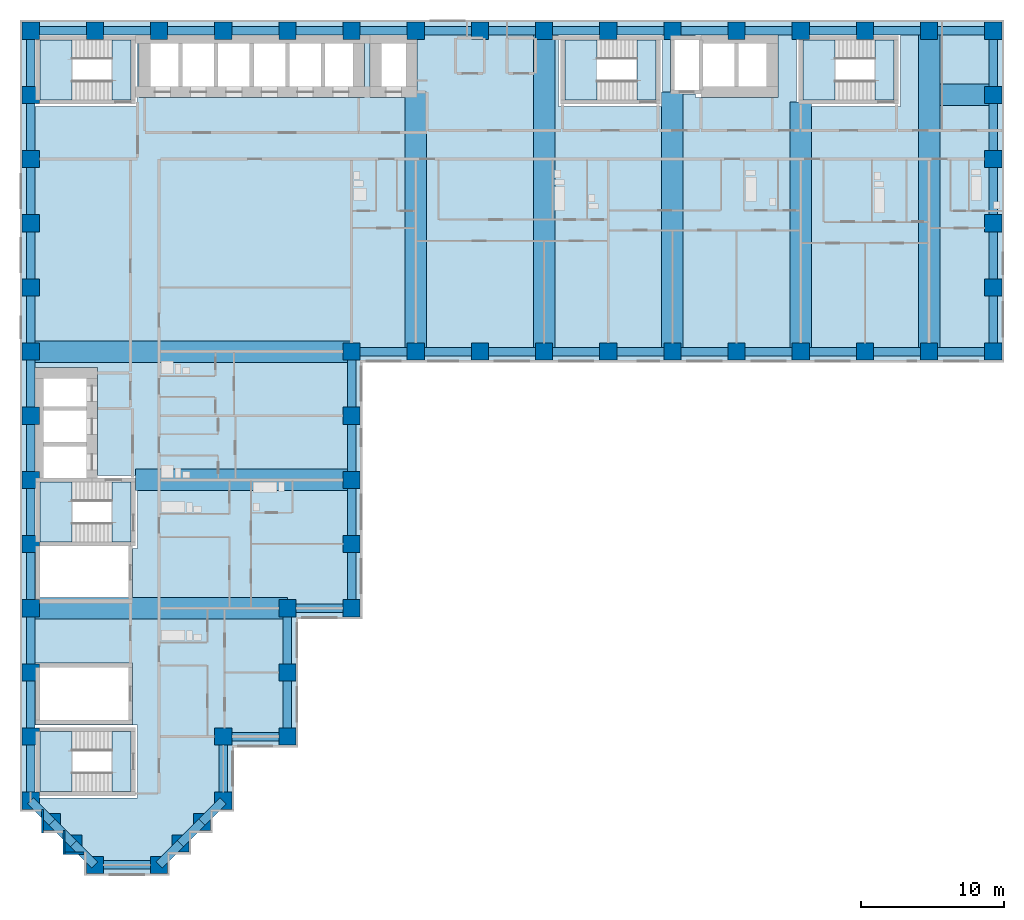
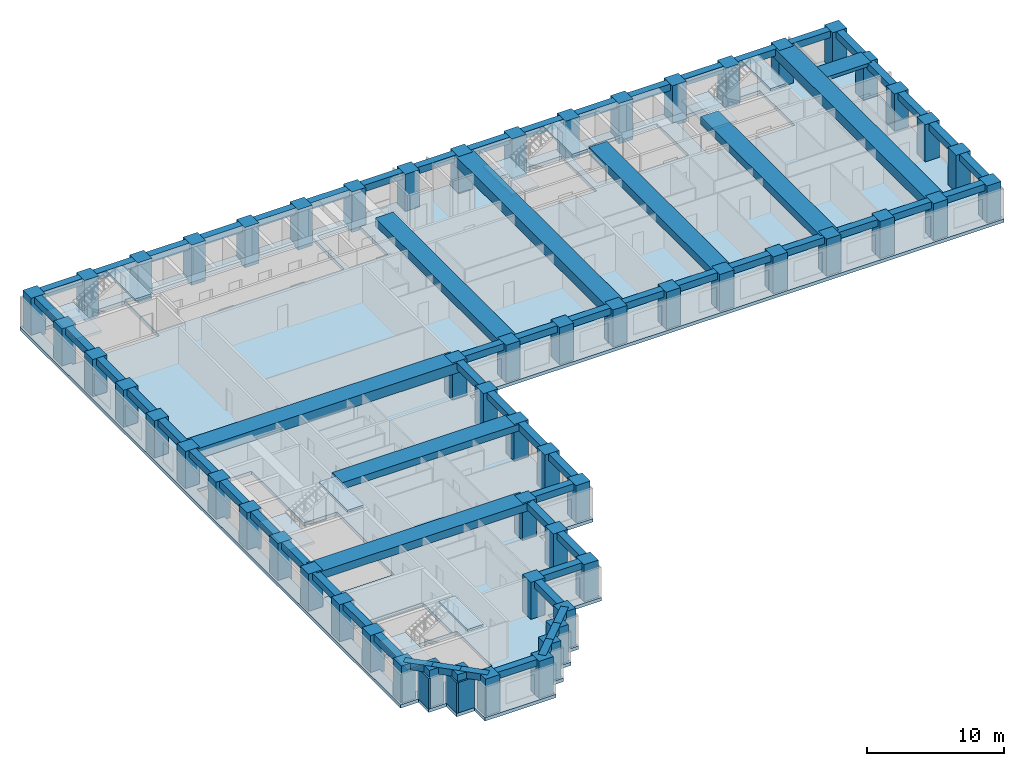
# One storey, part 1 of 11: 67 beams, 58 columns, 11 slabs, 3 walls, 5 elements without a shape of their own.
"""IFC4 building model written with IfcOpenShell, lengths in metres."""

import ifcopenshell
import ifcopenshell.guid

model = None  # the IFC model being written
_history = None  # IfcOwnerHistory: only IFC2X3 demands one
_inside = {}  # id of a spatial element -> (the spatial element, [elements in it])
_under = {}  # id of a project, library or spatial element -> (it, [spatial elements below it])
_declared = {}  # id of a project -> (the project, [libraries it declares])
_typed = {}  # id of a type object -> (the type object, [elements of that type])
_made_of = {}  # id of a material, layer set ... -> (it, [elements and type objects made of it])


def new_model(schema):
    """Start an empty IFC model of exactly this schema.

    Asked for "IFC4X3", IfcOpenShell would pick the latest addendum, in which some entities
    have other attributes; the version numbers below select the first issue.
    IFC2X3 requires an IfcOwnerHistory on every rooted entity: one is made here for all.
    """
    global model, _history
    if schema == "IFC4X3":
        model = ifcopenshell.file(schema_version=(4, 3, 0, 0))
    else:
        model = ifcopenshell.file(schema=schema)
    _inside.clear()
    _under.clear()
    _declared.clear()
    _typed.clear()
    _made_of.clear()
    _history = None
    if model.schema == "IFC2X3":
        org = make("IfcOrganization", Name="unknown")
        user = make(
            "IfcPersonAndOrganization",
            ThePerson=make("IfcPerson", FamilyName="unknown"),
            TheOrganization=org,
        )
        app = make(
            "IfcApplication",
            ApplicationDeveloper=org,
            Version="unknown",
            ApplicationFullName="unknown",
            ApplicationIdentifier="unknown",
        )
        _history = make(
            "IfcOwnerHistory",
            OwningUser=user,
            OwningApplication=app,
            ChangeAction="ADDED",
            CreationDate=0,
        )
    return model


def make(cls, **values):
    """One entity of the class cls with the attributes given. An attribute that is None is left unset."""
    return model.create_entity(
        cls, **{name: value for name, value in values.items() if value is not None}
    )


def rooted(cls, **values):
    """An entity with a GlobalId (a new one), such as an element, a storey or a relation."""
    return make(cls, GlobalId=ifcopenshell.guid.new(), OwnerHistory=_history, **values)


def si_unit(unit_type, name, prefix=None):
    """IfcSIUnit, for example si_unit("LENGTHUNIT", "METRE", prefix="MILLI")."""
    return make("IfcSIUnit", UnitType=unit_type, Prefix=prefix, Name=name)


def assignment(units):
    """IfcUnitAssignment: the units of a project."""
    return None if units is None else make("IfcUnitAssignment", Units=units)


def point(xyz):
    """IfcCartesianPoint."""
    return None if xyz is None else make("IfcCartesianPoint", Coordinates=xyz)


def direction(xyz):
    """IfcDirection."""
    return None if xyz is None else make("IfcDirection", DirectionRatios=xyz)


def frame(location, z_axis=None, x_axis=None):
    """IfcAxis2Placement3D, a coordinate frame: its origin and axes. An axis left out is left unset."""
    return make(
        "IfcAxis2Placement3D",
        Location=point(location),
        Axis=direction(z_axis),
        RefDirection=direction(x_axis),
    )


def frame_2d(location, x_axis=None):
    """IfcAxis2Placement2D, a coordinate frame in the plane: its origin and x axis."""
    return make(
        "IfcAxis2Placement2D", Location=point(location), RefDirection=direction(x_axis)
    )


def origin():
    """The frame at (0, 0, 0) with its axes left unset."""
    return frame((0.0, 0.0, 0.0))


def origin_2d():
    """The frame at (0, 0) in the plane with its x axis left unset."""
    return frame_2d((0.0, 0.0))


def place(relative_to, where):
    """IfcLocalPlacement: puts the frame where relative to a parent placement (None: the world)."""
    return make(
        "IfcLocalPlacement", PlacementRelTo=relative_to, RelativePlacement=where
    )


def context(
    kind, dimensions, precision=None, world=None, true_north=None, identifier=None
):
    """IfcGeometricRepresentationContext, for example the 3D "Model" context."""
    return make(
        "IfcGeometricRepresentationContext",
        ContextIdentifier=identifier,
        ContextType=kind,
        CoordinateSpaceDimension=dimensions,
        Precision=precision,
        WorldCoordinateSystem=world,
        TrueNorth=true_north,
    )


def subcontext(parent, identifier, kind, view, scale=None):
    """IfcGeometricRepresentationSubContext, for example "Body" below "Model"."""
    return make(
        "IfcGeometricRepresentationSubContext",
        ContextIdentifier=identifier,
        ContextType=kind,
        ParentContext=parent,
        TargetScale=scale,
        TargetView=view,
    )


def project(units=None, contexts=None):
    """IfcProject with its units and contexts."""
    return rooted(
        "IfcProject",
        Name="project",
        RepresentationContexts=contexts,
        UnitsInContext=assignment(units),
    )


def spatial(cls, under=None, at=None, **own):
    """A site, building, storey or space (cls), placed at a placement, below another one or the project."""
    s = rooted(cls, ObjectPlacement=at, **own)
    if under is not None:
        _under.setdefault(under.id(), (under, []))[1].append(s)
    return s


def polyline(points):
    """IfcPolyline through the points."""
    return make("IfcPolyline", Points=[point(p) for p in points])


def profile(cls, at=None, kind="AREA", **sizes):
    """A parametric profile (cls). Its sizes go by their IFC names, for example OverallWidth=200.0."""
    return make(cls, ProfileType=kind, Position=at, **sizes)


def rectangle(**sizes):
    """IfcRectangleProfileDef."""
    return profile("IfcRectangleProfileDef", **sizes)


def outline(outer, holes=None, kind="AREA"):
    """IfcArbitraryClosedProfileDef: a profile drawn as a closed curve; with holes, ...WithVoids."""
    if holes is None:
        return make("IfcArbitraryClosedProfileDef", ProfileType=kind, OuterCurve=outer)
    return make(
        "IfcArbitraryProfileDefWithVoids",
        ProfileType=kind,
        OuterCurve=outer,
        InnerCurves=holes,
    )


def extrude(swept, where, along, depth):
    """IfcExtrudedAreaSolid: the profile swept, set in the frame where, extruded along a direction by depth."""
    return make(
        "IfcExtrudedAreaSolid",
        SweptArea=swept,
        Position=where,
        ExtrudedDirection=direction(along),
        Depth=depth,
    )


def shape(context_of_items, identifier, shape_type, items):
    """IfcShapeRepresentation: the items that make up one representation, for example the "Body"."""
    return make(
        "IfcShapeRepresentation",
        ContextOfItems=context_of_items,
        RepresentationIdentifier=identifier,
        RepresentationType=shape_type,
        Items=items,
    )


def material(Name=None, Category=None):
    """IfcMaterial."""
    return make("IfcMaterial", Name=Name, Category=Category)


def layer(
    of_material, thickness, ventilated=None, Name=None, Category=None, Priority=None
):
    """IfcMaterialLayer: one layer of a wall or slab, of a material (None: an air gap)."""
    return make(
        "IfcMaterialLayer",
        Material=of_material,
        LayerThickness=thickness,
        IsVentilated=ventilated,
        Name=Name,
        Category=Category,
        Priority=Priority,
    )


def layer_set(layers, Name=None):
    """IfcMaterialLayerSet."""
    return make("IfcMaterialLayerSet", MaterialLayers=layers, LayerSetName=Name)


def material_profile(
    of_material, cross_section, Name=None, Category=None, Priority=None
):
    """IfcMaterialProfile: a cross section and its material."""
    return make(
        "IfcMaterialProfile",
        Name=Name,
        Material=of_material,
        Profile=cross_section,
        Priority=Priority,
        Category=Category,
    )


def profile_set(profiles, Name=None, composite=None):
    """IfcMaterialProfileSet."""
    return make(
        "IfcMaterialProfileSet",
        Name=Name,
        MaterialProfiles=profiles,
        CompositeProfile=composite,
    )


def made_of(thing, what):
    """Note that an element or type object is made of a material, layer set ...; save() writes the relation."""
    if what is not None:
        _made_of.setdefault(what.id(), (what, []))[1].append(thing)
    return thing


def type_object(cls, material=None, **own):
    """A type object (cls), such as IfcWallType, which elements share."""
    return made_of(rooted(cls, **own), material)


def element(
    cls,
    number,
    at=None,
    inside=None,
    cuts=None,
    type_object=None,
    material=None,
    context=None,
    identifier="Body",
    shape_type=None,
    held_by="IfcProductDefinitionShape",
    body=None,
    shapes=None,
    **own,
):
    """One element of the class cls, such as IfcWall. Its Tag is "e" and its number.

    at: its placement. inside: the storey or other place that contains it. cuts: it is an
    opening in that element (IfcRelVoidsElement). A single representation is given by context,
    identifier, shape_type and body (its items); several are given by shapes. held_by: the class
    of the entity that holds the representations. save() writes the other relations.
    """
    e = rooted(cls, Tag="e%d" % number, ObjectPlacement=at, **own)
    if body is not None:
        shapes = [shape(context, identifier, shape_type, body)]
    if shapes is not None:
        e.Representation = make(held_by, Representations=shapes)
    if inside is not None:
        _inside.setdefault(inside.id(), (inside, []))[1].append(e)
    if cuts is not None:
        rooted(
            "IfcRelVoidsElement", RelatingBuildingElement=cuts, RelatedOpeningElement=e
        )
    if type_object is not None:
        _typed.setdefault(type_object.id(), (type_object, []))[1].append(e)
    return made_of(e, material)


def aggregate(whole, parts):
    """IfcRelAggregates: a whole, such as a stair, and the parts it consists of."""
    return rooted("IfcRelAggregates", RelatingObject=whole, RelatedObjects=parts)


def save(model, path):
    """Write the relations noted so far, then the file.

    IfcRelAggregates (storeys below a building ...), IfcRelContainedInSpatialStructure (elements
    in a storey), IfcRelDefinesByType, IfcRelAssociatesMaterial and IfcRelDeclares: one each for
    every whole, place, type object, material and project.
    """
    for whole, parts in _under.values():
        aggregate(whole, parts)
    for where, things in _inside.values():
        rooted(
            "IfcRelContainedInSpatialStructure",
            RelatedElements=things,
            RelatingStructure=where,
        )
    for kind, things in _typed.values():
        rooted("IfcRelDefinesByType", RelatedObjects=things, RelatingType=kind)
    for what, things in _made_of.values():
        rooted("IfcRelAssociatesMaterial", RelatedObjects=things, RelatingMaterial=what)
    for by, libraries in _declared.values():
        rooted("IfcRelDeclares", RelatingContext=by, RelatedDefinitions=libraries)
    model.write(path)


model = new_model("IFC4")

# Units and contexts
model_context = context("Model", 3, precision=1e-05, world=origin(), true_north=direction((0.0, 1.0)))
body_context = subcontext(model_context, "Body", "Model", "MODEL_VIEW")
ifc_project = project(units=[si_unit("LENGTHUNIT", "METRE"), si_unit("AREAUNIT", "SQUARE_METRE"), si_unit("VOLUMEUNIT", "CUBIC_METRE"), si_unit("PLANEANGLEUNIT", "RADIAN"), si_unit("MASSUNIT", "GRAM", prefix="KILO")], contexts=[model_context])

# Site, building, storey
site_placement = place(None, origin())
site = spatial("IfcSite", under=ifc_project, at=site_placement, CompositionType="ELEMENT")
building_placement = place(site_placement, origin())
building = spatial("IfcBuilding", under=site, at=building_placement, Name="Firuza Court", CompositionType="ELEMENT")
storey_placement = place(building_placement, frame((0.0, 0.0, 61.39990234375)))
storey = spatial("IfcBuildingStorey", under=building, at=storey_placement, Name="L14", CompositionType="ELEMENT", Elevation=61.39990234375)

# Columns
ifc_material_1 = material(Name="Concrete C70/85", Category="concrete")
ifc_material_profile_1 = material_profile(ifc_material_1, rectangle(XDim=1.199951171875, YDim=1.199951171875, at=origin_2d()), Name="RC 1200x1200")
ifc_profile_set_1 = profile_set([ifc_material_profile_1], Name="Concrete C70/85")
column_type = type_object("IfcColumnType", Name="Tube column RC 1200x1200 C70/85", PredefinedType="COLUMN", material=ifc_profile_set_1)
for number, where, z_axis, x_axis, name in (
    (1, (4.5, 0.0, -0.2998046875), (0.0, 0.0, 1.0), (1.0, 0.0, 0.0), "Column C-2D L14"),
    (2, (9.0, 0.0, -0.2998046875), (0.0, 0.0, 1.0), (1.0, 0.0, 0.0), "Column C-3D L14"),
    (3, (3.0, 1.5, -0.2998046875), (0.0, 0.0, 1.0), (1.0, 0.0, 0.0), "Column C-SA1 L14"),
    (4, (10.5, 1.5, -0.2998046875), (0.0, 0.0, 1.0), (1.0, 0.0, 0.0), "Column C-SA2 L14"),
    (5, (1.5, 3.0, -0.2998046875), (0.0, 0.0, 1.0), (1.0, 0.0, 0.0), "Column C-SA3 L14"),
    (6, (12.0, 3.0, -0.2998046875), (0.0, 0.0, 1.0), (1.0, 0.0, 0.0), "Column C-SA4 L14"),
    (7, (0.0, 4.5, -0.2998046875), (0.0, 0.0, 1.0), (1.0, 0.0, 0.0), "Column C-1E L14"),
    (8, (13.5, 4.5, -0.2998046875), (0.0, 0.0, 1.0), (1.0, 0.0, 0.0), "Column C-4E L14"),
    (9, (0.0, 9.0, -0.2998046875), (0.0, 0.0, 1.0), (1.0, 0.0, 0.0), "Column C-1F L14"),
    (10, (13.5, 9.0, -0.2998046875), (0.0, 0.0, 1.0), (1.0, 0.0, 0.0), "Column C-4F L14"),
    (11, (18.0, 9.0, -0.2998046875), (0.0, 0.0, 1.0), (1.0, 0.0, 0.0), "Column C-5F L14"),
    (12, (0.0, 13.5, -0.2998046875), (0.0, 0.0, 1.0), (1.0, 0.0, 0.0), "Column C-1G L14"),
    (13, (18.0, 13.5, -0.2998046875), (0.0, 0.0, 1.0), (1.0, 0.0, 0.0), "Column C-5G L14"),
    (14, (0.0, 18.0, -0.2998046875), (0.0, 0.0, 1.0), (1.0, 0.0, 0.0), "Column C-1H L14"),
    (15, (18.0, 18.0, -0.2998046875), (0.0, 0.0, 1.0), (1.0, 0.0, 0.0), "Column C-5H L14"),
    (16, (22.5, 18.0, -0.2998046875), (0.0, 0.0, 1.0), (1.0, 0.0, 0.0), "Column C-6H L14"),
    (17, (0.0, 22.5, -0.2998046875), (0.0, 0.0, 1.0), (1.0, 0.0, 0.0), "Column C-1J L14"),
    (18, (22.5, 22.5, -0.2998046875), (0.0, 0.0, 1.0), (1.0, 0.0, 0.0), "Column C-6J L14"),
    (19, (0.0, 27.0, -0.2998046875), (0.0, 0.0, 1.0), (1.0, 0.0, 0.0), "Column C-1K L14"),
    (20, (22.5, 27.0, -0.2998046875), (0.0, 0.0, 1.0), (1.0, 0.0, 0.0), "Column C-6K L14"),
    (21, (0.0, 31.5, -0.2998046875), (0.0, 0.0, 1.0), (1.0, 0.0, 0.0), "Column C-1L L14"),
    (22, (22.5, 31.5, -0.2998046875), (0.0, 0.0, 1.0), (1.0, 0.0, 0.0), "Column C-6L L14"),
    (23, (0.0, 36.0, -0.2998046875), (0.0, 0.0, 1.0), (1.0, 0.0, 0.0), "Column C-1M L14"),
    (24, (22.5, 36.0, -0.2998046875), (0.0, 0.0, 1.0), (1.0, 0.0, 0.0), "Column C-6M L14"),
    (25, (27.0, 36.0, -0.2998046875), (0.0, 0.0, 1.0), (1.0, 0.0, 0.0), "Column C-7M L14"),
    (26, (31.5, 36.0, -0.2998046875), (0.0, 0.0, 1.0), (1.0, 0.0, 0.0), "Column C-8M L14"),
    (27, (36.0, 36.0, -0.2998046875), (0.0, 0.0, 1.0), (1.0, 0.0, 0.0), "Column C-9M L14"),
    (28, (40.5, 36.0, -0.2998046875), (0.0, 0.0, 1.0), (1.0, 0.0, 0.0), "Column C-10M L14"),
    (29, (45.0, 36.0, -0.2998046875), (0.0, 0.0, 1.0), (1.0, 0.0, 0.0), "Column C-11M L14"),
    (30, (49.5, 36.0, -0.2998046875), (0.0, 0.0, 1.0), (1.0, 0.0, 0.0), "Column C-12M L14"),
    (31, (54.0, 36.0, -0.2998046875), (0.0, 0.0, 1.0), (1.0, 0.0, 0.0), "Column C-13M L14"),
    (32, (58.5, 36.0, -0.2998046875), (0.0, 0.0, 1.0), (1.0, 0.0, 0.0), "Column C-14M L14"),
    (33, (63.0, 36.0, -0.2998046875), (0.0, 0.0, 1.0), (1.0, 0.0, 0.0), "Column C-15M L14"),
    (34, (67.5, 36.0, -0.2998046875), (0.0, 0.0, 1.0), (1.0, 0.0, 0.0), "Column C-16M L14"),
    (35, (0.0, 40.5, -0.2998046875), (0.0, 0.0, 1.0), (1.0, 0.0, 0.0), "Column C-1N L14"),
    (36, (67.5, 40.5, -0.2998046875), (0.0, 0.0, 1.0), (1.0, 0.0, 0.0), "Column C-16N L14"),
    (37, (0.0, 45.0, -0.2998046875), (0.0, 0.0, 1.0), (1.0, 0.0, 0.0), "Column C-1P L14"),
    (38, (67.5, 45.0, -0.2998046875), (0.0, 0.0, 1.0), (1.0, 0.0, 0.0), "Column C-16P L14"),
    (39, (0.0, 49.5, -0.2998046875), (0.0, 0.0, 1.0), (1.0, 0.0, 0.0), "Column C-1Q L14"),
    (40, (67.5, 49.5, -0.2998046875), (0.0, 0.0, 1.0), (1.0, 0.0, 0.0), "Column C-16Q L14"),
    (41, (0.0, 54.0, -0.2998046875), (0.0, 0.0, 1.0), (1.0, 0.0, 0.0), "Column C-1R L14"),
    (42, (67.5, 54.0, -0.2998046875), (0.0, 0.0, 1.0), (1.0, 0.0, 0.0), "Column C-16R L14"),
    (43, (0.0, 58.5, -0.2998046875), (0.0, 0.0, 1.0), (1.0, 0.0, 0.0), "Column C-1S L14"),
    (44, (4.5, 58.5, -0.2998046875), (0.0, 0.0, 1.0), (1.0, 0.0, 0.0), "Column C-2S L14"),
    (45, (9.0, 58.5, -0.2998046875), (0.0, 0.0, 1.0), (1.0, 0.0, 0.0), "Column C-3S L14"),
    (46, (13.5, 58.5, -0.2998046875), (0.0, 0.0, 1.0), (1.0, 0.0, 0.0), "Column C-4S L14"),
    (47, (18.0, 58.5, -0.2998046875), (0.0, 0.0, 1.0), (1.0, 0.0, 0.0), "Column C-5S L14"),
    (48, (22.5, 58.5, -0.2998046875), (0.0, 0.0, 1.0), (1.0, 0.0, 0.0), "Column C-6S L14"),
    (49, (27.0, 58.5, -0.2998046875), (0.0, 0.0, 1.0), (1.0, 0.0, 0.0), "Column C-7S L14"),
    (50, (31.5, 58.5, -0.2998046875), (0.0, 0.0, 1.0), (1.0, 0.0, 0.0), "Column C-8S L14"),
    (51, (36.0, 58.5, -0.2998046875), (0.0, 0.0, 1.0), (1.0, 0.0, 0.0), "Column C-9S L14"),
    (52, (40.5, 58.5, -0.2998046875), (0.0, 0.0, 1.0), (1.0, 0.0, 0.0), "Column C-10S L14"),
    (53, (45.0, 58.5, -0.2998046875), (0.0, 0.0, 1.0), (1.0, 0.0, 0.0), "Column C-11S L14"),
    (54, (49.5, 58.5, -0.2998046875), (0.0, 0.0, 1.0), (1.0, 0.0, 0.0), "Column C-12S L14"),
    (55, (54.0, 58.5, -0.2998046875), (0.0, 0.0, 1.0), (1.0, 0.0, 0.0), "Column C-13S L14"),
    (56, (58.5, 58.5, -0.2998046875), (0.0, 0.0, 1.0), (1.0, 0.0, 0.0), "Column C-14S L14"),
    (57, (63.0, 58.5, -0.2998046875), (0.0, 0.0, 1.0), (1.0, 0.0, 0.0), "Column C-15S L14"),
    (58, (67.5, 58.5, -0.2998046875), (0.0, 0.0, 1.0), (1.0, 0.0, 0.0), "Column C-16S L14"),
):
    element("IfcColumn", number, at=place(storey_placement, frame(where, z_axis=z_axis, x_axis=x_axis)), inside=storey, type_object=column_type, Name=name, PredefinedType="COLUMN", context=body_context, shape_type="SweptSolid", body=[
        extrude(rectangle(XDim=1.199951171875, YDim=1.199951171875, at=origin_2d()), origin(), (0.0, 0.0, 1.0), 3.599853515625),
    ])

# Beams
ifc_material_2 = material(Name="Concrete C40/50", Category="concrete")
ifc_material_profile_2 = material_profile(ifc_material_2, rectangle(XDim=1.5, YDim=0.300048828125, at=origin_2d()), Name="RC 1500x300")
ifc_profile_set_2 = profile_set([ifc_material_profile_2], Name="Concrete C40/50")
beam_type_1 = type_object("IfcBeamType", Name="Band beam RC 1500x300 C40/50", PredefinedType="BEAM", material=ifc_profile_set_2)
beam_1_placement = place(storey_placement, frame((67.5, 54.0, 3.150146484375), z_axis=(-1.0, 0.0, 0.0), x_axis=(0.0, -1.0, 0.0)))
element("IfcBeam", 59, at=beam_1_placement, inside=storey, type_object=beam_type_1, Name="Band beam FB6 level L15", PredefinedType="BEAM", context=body_context, shape_type="SweptSolid", body=[
    extrude(rectangle(XDim=1.5, YDim=0.300048828125, at=origin_2d()), origin(), (0.0, 0.0, 1.0), 3.75),
])
ifc_material_3 = material(Name="Concrete C40/50", Category="concrete")
ifc_material_profile_3 = material_profile(ifc_material_3, rectangle(XDim=1.5, YDim=0.60009765625, at=origin_2d()), Name="RC 1500x600")
ifc_profile_set_3 = profile_set([ifc_material_profile_3], Name="Concrete C40/50")
beam_type_2 = type_object("IfcBeamType", Name="Band beam RC 1500x600 C40/50", PredefinedType="BEAM", material=ifc_profile_set_3)
beam_2_placement = place(storey_placement, frame((22.5, 27.0, 3.0), z_axis=(-1.0, 0.0, 0.0), x_axis=(0.0, -1.0, 0.0)))
element("IfcBeam", 60, at=beam_2_placement, inside=storey, type_object=beam_type_2, Name="Band beam FB3 level L15", PredefinedType="BEAM", context=body_context, shape_type="SweptSolid", body=[
    extrude(rectangle(XDim=1.5, YDim=0.60009765625, at=origin_2d()), origin(), (0.0, 0.0, 1.0), 15.14990234375),
])
ifc_material_4 = material(Name="Concrete C40/50", Category="concrete")
ifc_material_profile_4 = material_profile(ifc_material_4, rectangle(XDim=1.5, YDim=0.699951171875, at=origin_2d()), Name="RC 1500x700")
ifc_profile_set_4 = profile_set([ifc_material_profile_4], Name="Concrete C40/50")
beam_type_3 = type_object("IfcBeamType", Name="Band beam RC 1500x700 C40/50", PredefinedType="BEAM", material=ifc_profile_set_4)
beam_3_placement = place(storey_placement, frame((0.0, 18.0, 2.9501953125), z_axis=(1.0, 0.0, 0.0), x_axis=(0.0, 1.0, 0.0)))
element("IfcBeam", 61, at=beam_3_placement, inside=storey, type_object=beam_type_3, Name="Band beam FB1 level L15", PredefinedType="BEAM", context=body_context, shape_type="SweptSolid", body=[
    extrude(rectangle(XDim=1.5, YDim=0.699951171875, at=origin_2d()), origin(), (0.0, 0.0, 1.0), 18.0),
])
for number, where, z_axis, x_axis, name in (
    (62, (27.0, 36.0, 2.9501953125), (0.0, 1.0, 0.0), (-1.0, 0.0, 0.0), "Band beam FB1 level L15"),
    (63, (45.0, 36.0, 2.9501953125), (0.0, 1.0, 0.0), (-1.0, 0.0, 0.0), "Band beam FB1 level L15"),
):
    element("IfcBeam", number, at=place(storey_placement, frame(where, z_axis=z_axis, x_axis=x_axis)), inside=storey, type_object=beam_type_3, Name=name, PredefinedType="BEAM", context=body_context, shape_type="SweptSolid", body=[
        extrude(rectangle(XDim=1.5, YDim=0.699951171875, at=origin_2d()), origin(), (0.0, 0.0, 1.0), 18.199951171875),
    ])
beam_4_placement = place(storey_placement, frame((54.0, 36.0, 2.9501953125), z_axis=(0.0, 1.0, 0.0), x_axis=(-1.0, 0.0, 0.0)))
element("IfcBeam", 64, at=beam_4_placement, inside=storey, type_object=beam_type_3, Name="Band beam FB1 level L15", PredefinedType="BEAM", context=body_context, shape_type="SweptSolid", body=[
    extrude(rectangle(XDim=1.5, YDim=0.699951171875, at=origin_2d()), origin(), (0.0, 0.0, 1.0), 17.5),
])
ifc_material_5 = material(Name="Concrete C40/50", Category="concrete")
ifc_material_profile_5 = material_profile(ifc_material_5, rectangle(XDim=1.5, YDim=0.89990234375, at=origin_2d()), Name="RC 1500x900")
ifc_profile_set_5 = profile_set([ifc_material_profile_5], Name="Concrete C40/50")
beam_type_4 = type_object("IfcBeamType", Name="Band beam RC 1500x900 C40/50", PredefinedType="BEAM", material=ifc_profile_set_5)
for number, where, z_axis, x_axis, name in (
    (65, (0.0, 36.0, 2.85009765625), (1.0, 0.0, 0.0), (0.0, 1.0, 0.0), "Band beam FB2 level L15"),
    (66, (36.0, 36.0, 2.85009765625), (0.0, 1.0, 0.0), (-1.0, 0.0, 0.0), "Band beam FB2 level L15"),
    (67, (63.0, 36.0, 2.85009765625), (0.0, 1.0, 0.0), (-1.0, 0.0, 0.0), "Band beam FB2 level L15"),
):
    element("IfcBeam", number, at=place(storey_placement, frame(where, z_axis=z_axis, x_axis=x_axis)), inside=storey, type_object=beam_type_4, Name=name, PredefinedType="BEAM", context=body_context, shape_type="SweptSolid", body=[
        extrude(rectangle(XDim=1.5, YDim=0.89990234375, at=origin_2d()), origin(), (0.0, 0.0, 1.0), 22.5),
    ])
ifc_material_6 = material(Name="Concrete C40/50", Category="concrete")
ifc_material_profile_6 = material_profile(ifc_material_6, rectangle(XDim=0.60009765625, YDim=0.60009765625, at=origin_2d()), Name="RC 600x600")
ifc_profile_set_6 = profile_set([ifc_material_profile_6], Name="Concrete C40/50")
beam_type_5 = type_object("IfcBeamType", Name="Spandrel beam RC 600x600 C40/50", PredefinedType="BEAM", material=ifc_profile_set_6)
beam_5_placement = place(storey_placement, frame((0.0, 4.5, 3.0), z_axis=(0.707106781187, -0.707106781187, 0.0), x_axis=(0.707106781187, 0.707106781187, 0.0)))
element("IfcBeam", 68, at=beam_5_placement, inside=storey, type_object=beam_type_5, Name="Spandrel beam SP11 level L15", PredefinedType="BEAM", context=body_context, shape_type="SweptSolid", body=[
    extrude(rectangle(XDim=0.60009765625, YDim=0.60009765625, at=origin_2d()), origin(), (0.0, 0.0, 1.0), 2.121337890625),
])
for number, where, z_axis, x_axis, name in (
    (69, (0.0, 9.0, 3.0), (0.0, -1.0, 0.0), (1.0, 0.0, 0.0), "Spandrel beam SP11 level L15"),
    (70, (0.0, 13.5, 3.0), (0.0, -1.0, 0.0), (1.0, 0.0, 0.0), "Spandrel beam SP11 level L15"),
    (71, (0.0, 18.0, 3.0), (0.0, -1.0, 0.0), (1.0, 0.0, 0.0), "Spandrel beam SP11 level L15"),
    (72, (0.0, 22.5, 3.0), (0.0, -1.0, 0.0), (1.0, 0.0, 0.0), "Spandrel beam SP11 level L15"),
    (73, (0.0, 27.0, 3.0), (0.0, -1.0, 0.0), (1.0, 0.0, 0.0), "Spandrel beam SP11 level L15"),
    (74, (0.0, 31.5, 3.0), (0.0, -1.0, 0.0), (1.0, 0.0, 0.0), "Spandrel beam SP11 level L15"),
    (75, (0.0, 36.0, 3.0), (0.0, -1.0, 0.0), (1.0, 0.0, 0.0), "Spandrel beam SP11 level L15"),
    (76, (0.0, 40.5, 3.0), (0.0, -1.0, 0.0), (1.0, 0.0, 0.0), "Spandrel beam SP11 level L15"),
    (77, (0.0, 45.0, 3.0), (0.0, -1.0, 0.0), (1.0, 0.0, 0.0), "Spandrel beam SP11 level L15"),
    (78, (0.0, 49.5, 3.0), (0.0, -1.0, 0.0), (1.0, 0.0, 0.0), "Spandrel beam SP11 level L15"),
    (79, (0.0, 54.0, 3.0), (0.0, -1.0, 0.0), (1.0, 0.0, 0.0), "Spandrel beam SP11 level L15"),
    (80, (0.0, 58.5, 3.0), (0.0, -1.0, 0.0), (1.0, 0.0, 0.0), "Spandrel beam SP11 level L15"),
):
    element("IfcBeam", number, at=place(storey_placement, frame(where, z_axis=z_axis, x_axis=x_axis)), inside=storey, type_object=beam_type_5, Name=name, PredefinedType="BEAM", context=body_context, shape_type="SweptSolid", body=[
        extrude(rectangle(XDim=0.60009765625, YDim=0.60009765625, at=origin_2d()), origin(), (0.0, 0.0, 1.0), 4.5),
    ])
for number, where, z_axis, x_axis, name in (
    (81, (1.5, 3.0, 3.0), (0.707106781187, -0.707106781187, 0.0), (0.707106781187, 0.707106781187, 0.0), "Spandrel beam SP11 level L15"),
    (82, (3.0, 1.5, 3.0), (0.707106781187, -0.707106781187, 0.0), (0.707106781187, 0.707106781187, 0.0), "Spandrel beam SP11 level L15"),
):
    element("IfcBeam", number, at=place(storey_placement, frame(where, z_axis=z_axis, x_axis=x_axis)), inside=storey, type_object=beam_type_5, Name=name, PredefinedType="BEAM", context=body_context, shape_type="SweptSolid", body=[
        extrude(rectangle(XDim=0.60009765625, YDim=0.60009765625, at=origin_2d()), origin(), (0.0, 0.0, 1.0), 2.121337890625),
    ])
for number, where, z_axis, x_axis, name in (
    (83, (4.5, 0.0, 3.0), (1.0, 0.0, 0.0), (0.0, 1.0, 0.0), "Spandrel beam SP11 level L15"),
    (84, (4.5, 58.5, 3.0), (-1.0, 0.0, 0.0), (0.0, -1.0, 0.0), "Spandrel beam SP11 level L15"),
):
    element("IfcBeam", number, at=place(storey_placement, frame(where, z_axis=z_axis, x_axis=x_axis)), inside=storey, type_object=beam_type_5, Name=name, PredefinedType="BEAM", context=body_context, shape_type="SweptSolid", body=[
        extrude(rectangle(XDim=0.60009765625, YDim=0.60009765625, at=origin_2d()), origin(), (0.0, 0.0, 1.0), 4.5),
    ])
beam_6_placement = place(storey_placement, frame((9.0, 0.0, 3.0), z_axis=(0.707106781187, 0.707106781187, 0.0), x_axis=(-0.707106781187, 0.707106781187, 0.0)))
element("IfcBeam", 85, at=beam_6_placement, inside=storey, type_object=beam_type_5, Name="Spandrel beam SP11 level L15", PredefinedType="BEAM", context=body_context, shape_type="SweptSolid", body=[
    extrude(rectangle(XDim=0.60009765625, YDim=0.60009765625, at=origin_2d()), origin(), (0.0, 0.0, 1.0), 2.121337890625),
])
beam_7_placement = place(storey_placement, frame((9.0, 58.5, 3.0), z_axis=(-1.0, 0.0, 0.0), x_axis=(0.0, -1.0, 0.0)))
element("IfcBeam", 86, at=beam_7_placement, inside=storey, type_object=beam_type_5, Name="Spandrel beam SP11 level L15", PredefinedType="BEAM", context=body_context, shape_type="SweptSolid", body=[
    extrude(rectangle(XDim=0.60009765625, YDim=0.60009765625, at=origin_2d()), origin(), (0.0, 0.0, 1.0), 4.5),
])
for number, where, z_axis, x_axis, name in (
    (87, (10.5, 1.5, 3.0), (0.707106781187, 0.707106781187, 0.0), (-0.707106781187, 0.707106781187, 0.0), "Spandrel beam SP11 level L15"),
    (88, (12.0, 3.0, 3.0), (0.707106781187, 0.707106781187, 0.0), (-0.707106781187, 0.707106781187, 0.0), "Spandrel beam SP11 level L15"),
):
    element("IfcBeam", number, at=place(storey_placement, frame(where, z_axis=z_axis, x_axis=x_axis)), inside=storey, type_object=beam_type_5, Name=name, PredefinedType="BEAM", context=body_context, shape_type="SweptSolid", body=[
        extrude(rectangle(XDim=0.60009765625, YDim=0.60009765625, at=origin_2d()), origin(), (0.0, 0.0, 1.0), 2.121337890625),
    ])
for number, where, z_axis, x_axis, name in (
    (89, (13.5, 4.5, 3.0), (0.0, 1.0, 0.0), (-1.0, 0.0, 0.0), "Spandrel beam SP11 level L15"),
    (90, (13.5, 9.0, 3.0), (1.0, 0.0, 0.0), (0.0, 1.0, 0.0), "Spandrel beam SP11 level L15"),
    (91, (13.5, 58.5, 3.0), (-1.0, 0.0, 0.0), (0.0, -1.0, 0.0), "Spandrel beam SP11 level L15"),
    (92, (18.0, 9.0, 3.0), (0.0, 1.0, 0.0), (-1.0, 0.0, 0.0), "Spandrel beam SP11 level L15"),
    (93, (18.0, 13.5, 3.0), (0.0, 1.0, 0.0), (-1.0, 0.0, 0.0), "Spandrel beam SP11 level L15"),
    (94, (18.0, 18.0, 3.0), (1.0, 0.0, 0.0), (0.0, 1.0, 0.0), "Spandrel beam SP11 level L15"),
    (95, (18.0, 58.5, 3.0), (-1.0, 0.0, 0.0), (0.0, -1.0, 0.0), "Spandrel beam SP11 level L15"),
    (96, (22.5, 18.0, 3.0), (0.0, 1.0, 0.0), (-1.0, 0.0, 0.0), "Spandrel beam SP11 level L15"),
    (97, (22.5, 22.5, 3.0), (0.0, 1.0, 0.0), (-1.0, 0.0, 0.0), "Spandrel beam SP11 level L15"),
    (98, (22.5, 27.0, 3.0), (0.0, 1.0, 0.0), (-1.0, 0.0, 0.0), "Spandrel beam SP11 level L15"),
    (99, (22.5, 31.5, 3.0), (0.0, 1.0, 0.0), (-1.0, 0.0, 0.0), "Spandrel beam SP11 level L15"),
    (100, (22.5, 36.0, 3.0), (1.0, 0.0, 0.0), (0.0, 1.0, 0.0), "Spandrel beam SP11 level L15"),
    (101, (22.5, 58.5, 3.0), (-1.0, 0.0, 0.0), (0.0, -1.0, 0.0), "Spandrel beam SP11 level L15"),
    (102, (27.0, 36.0, 3.0), (1.0, 0.0, 0.0), (0.0, 1.0, 0.0), "Spandrel beam SP11 level L15"),
    (103, (27.0, 58.5, 3.0), (-1.0, 0.0, 0.0), (0.0, -1.0, 0.0), "Spandrel beam SP11 level L15"),
    (104, (31.5, 36.0, 3.0), (1.0, 0.0, 0.0), (0.0, 1.0, 0.0), "Spandrel beam SP11 level L15"),
    (105, (31.5, 58.5, 3.0), (-1.0, 0.0, 0.0), (0.0, -1.0, 0.0), "Spandrel beam SP11 level L15"),
    (106, (36.0, 36.0, 3.0), (1.0, 0.0, 0.0), (0.0, 1.0, 0.0), "Spandrel beam SP11 level L15"),
    (107, (36.0, 58.5, 3.0), (-1.0, 0.0, 0.0), (0.0, -1.0, 0.0), "Spandrel beam SP11 level L15"),
    (108, (40.5, 36.0, 3.0), (1.0, 0.0, 0.0), (0.0, 1.0, 0.0), "Spandrel beam SP11 level L15"),
    (109, (40.5, 58.5, 3.0), (-1.0, 0.0, 0.0), (0.0, -1.0, 0.0), "Spandrel beam SP11 level L15"),
    (110, (45.0, 36.0, 3.0), (1.0, 0.0, 0.0), (0.0, 1.0, 0.0), "Spandrel beam SP11 level L15"),
    (111, (45.0, 58.5, 3.0), (-1.0, 0.0, 0.0), (0.0, -1.0, 0.0), "Spandrel beam SP11 level L15"),
    (112, (49.5, 36.0, 3.0), (1.0, 0.0, 0.0), (0.0, 1.0, 0.0), "Spandrel beam SP11 level L15"),
    (113, (49.5, 58.5, 3.0), (-1.0, 0.0, 0.0), (0.0, -1.0, 0.0), "Spandrel beam SP11 level L15"),
    (114, (54.0, 36.0, 3.0), (1.0, 0.0, 0.0), (0.0, 1.0, 0.0), "Spandrel beam SP11 level L15"),
    (115, (54.0, 58.5, 3.0), (-1.0, 0.0, 0.0), (0.0, -1.0, 0.0), "Spandrel beam SP11 level L15"),
    (116, (58.5, 36.0, 3.0), (1.0, 0.0, 0.0), (0.0, 1.0, 0.0), "Spandrel beam SP11 level L15"),
    (117, (58.5, 58.5, 3.0), (-1.0, 0.0, 0.0), (0.0, -1.0, 0.0), "Spandrel beam SP11 level L15"),
    (118, (63.0, 36.0, 3.0), (1.0, 0.0, 0.0), (0.0, 1.0, 0.0), "Spandrel beam SP11 level L15"),
    (119, (63.0, 58.5, 3.0), (-1.0, 0.0, 0.0), (0.0, -1.0, 0.0), "Spandrel beam SP11 level L15"),
    (120, (67.5, 36.0, 3.0), (0.0, 1.0, 0.0), (-1.0, 0.0, 0.0), "Spandrel beam SP11 level L15"),
    (121, (67.5, 40.5, 3.0), (0.0, 1.0, 0.0), (-1.0, 0.0, 0.0), "Spandrel beam SP11 level L15"),
    (122, (67.5, 45.0, 3.0), (0.0, 1.0, 0.0), (-1.0, 0.0, 0.0), "Spandrel beam SP11 level L15"),
    (123, (67.5, 49.5, 3.0), (0.0, 1.0, 0.0), (-1.0, 0.0, 0.0), "Spandrel beam SP11 level L15"),
    (124, (67.5, 54.0, 3.0), (0.0, 1.0, 0.0), (-1.0, 0.0, 0.0), "Spandrel beam SP11 level L15"),
    (125, (67.5, 58.5, 3.0), (-1.0, 0.0, 0.0), (0.0, -1.0, 0.0), "Spandrel beam SP11 level L15"),
):
    element("IfcBeam", number, at=place(storey_placement, frame(where, z_axis=z_axis, x_axis=x_axis)), inside=storey, type_object=beam_type_5, Name=name, PredefinedType="BEAM", context=body_context, shape_type="SweptSolid", body=[
        extrude(rectangle(XDim=0.60009765625, YDim=0.60009765625, at=origin_2d()), origin(), (0.0, 0.0, 1.0), 4.5),
    ])

# Slab
ifc_material_7 = material(Name="Concrete C40/50", Category="concrete")
ifc_layer_1 = layer(ifc_material_7, 0.300048828125)
ifc_layer_set_1 = layer_set([ifc_layer_1], Name="Concrete C40/50")
slab_type_1 = type_object("IfcSlabType", Name="Floor slab 300 C40/50", PredefinedType="FLOOR", material=ifc_layer_set_1)
slab_1_placement = place(storey_placement, frame((0.0, 0.0, -0.2998046875)))
element("IfcSlab", 126, at=slab_1_placement, inside=storey, type_object=slab_type_1, Name="Floor slab L14", PredefinedType="FLOOR", context=body_context, shape_type="SweptSolid", body=[
    extrude(outline(polyline([(3.75, -0.75), (3.75, 0.75), (2.25, 0.75), (2.25, 2.25), (0.75, 2.25), (0.75, 3.75), (-0.75, 3.75), (-0.75, 59.25), (68.25, 59.25), (68.25, 35.25), (23.25, 35.25), (23.25, 17.25), (18.75, 17.25), (18.75, 8.25), (14.25, 8.25), (14.25, 3.75), (12.75, 3.75), (12.75, 2.25), (11.25, 2.25), (11.25, 0.75), (9.75, 0.75), (9.75, -0.75), (3.75, -0.75)]), holes=[polyline([(7.5, 9.800048828125), (0.199951171875, 9.800048828125), (0.199951171875, 4.699951171875), (7.5, 4.699951171875), (7.5, 9.800048828125)]), polyline([(7.14990234375, 14.14990234375), (0.35009765625, 14.14990234375), (0.35009765625, 9.85009765625), (7.14990234375, 9.85009765625), (7.14990234375, 14.14990234375)]), polyline([(0.199951171875, 22.199951171875), (0.35009765625, 22.199951171875), (0.35009765625, 18.35009765625), (7.14990234375, 18.35009765625), (7.14990234375, 22.199951171875), (7.5, 22.199951171875), (7.5, 27.300048828125), (4.699951171875, 27.300048828125), (4.699951171875, 29.10009765625), (4.699951171875, 29.89990234375), (4.699951171875, 31.60009765625), (4.699951171875, 32.39990234375), (4.699951171875, 34.89990234375), (0.10009765625, 34.89990234375), (0.10009765625, 32.39990234375), (0.10009765625, 31.60009765625), (0.10009765625, 29.89990234375), (0.10009765625, 29.10009765625), (0.10009765625, 26.60009765625), (0.199951171875, 26.60009765625), (0.199951171875, 22.199951171875)]), polyline([(7.5, 58.300048828125), (0.199951171875, 58.300048828125), (0.199951171875, 53.199951171875), (7.5, 53.199951171875), (7.5, 58.300048828125)]), polyline([(10.10009765625, 58.39990234375), (7.60009765625, 58.39990234375), (7.60009765625, 53.800048828125), (10.10009765625, 53.800048828125), (10.89990234375, 53.800048828125), (12.60009765625, 53.800048828125), (13.39990234375, 53.800048828125), (15.10009765625, 53.800048828125), (15.89990234375, 53.800048828125), (17.60009765625, 53.800048828125), (18.39990234375, 53.800048828125), (20.10009765625, 53.800048828125), (20.89990234375, 53.800048828125), (23.39990234375, 53.800048828125), (23.39990234375, 58.39990234375), (20.89990234375, 58.39990234375), (20.10009765625, 58.39990234375), (18.39990234375, 58.39990234375), (17.60009765625, 58.39990234375), (15.89990234375, 58.39990234375), (15.10009765625, 58.39990234375), (13.39990234375, 58.39990234375), (12.60009765625, 58.39990234375), (10.89990234375, 58.39990234375), (10.10009765625, 58.39990234375)]), polyline([(44.300048828125, 58.300048828125), (37.0, 58.300048828125), (37.0, 53.199951171875), (44.300048828125, 53.199951171875), (44.300048828125, 58.300048828125)]), polyline([(61.0, 58.300048828125), (53.699951171875, 58.300048828125), (53.699951171875, 53.199951171875), (61.0, 53.199951171875), (61.0, 58.300048828125)]), polyline([(27.10009765625, 58.39990234375), (23.800048828125, 58.39990234375), (23.800048828125, 53.800048828125), (27.10009765625, 53.800048828125), (27.10009765625, 58.39990234375)]), polyline([(46.60009765625, 58.14990234375), (44.85009765625, 58.14990234375), (44.85009765625, 54.050048828125), (46.60009765625, 54.050048828125), (46.60009765625, 53.800048828125), (49.10009765625, 53.800048828125), (49.89990234375, 53.800048828125), (52.39990234375, 53.800048828125), (52.39990234375, 58.39990234375), (49.89990234375, 58.39990234375), (49.10009765625, 58.39990234375), (46.60009765625, 58.39990234375), (46.60009765625, 58.14990234375)])]), origin(), (0.0, 0.0, 1.0), 0.2998046875),
])

# Stair, slabs
ifc_material_8 = material(Name="Concrete C40/50 precast", Category="concrete")
stair_type = type_object("IfcStairType", Name="Stair 1350 x 3600 2 flights", PredefinedType="HALF_TURN_STAIR", material=ifc_material_8)
stair_1_placement = place(storey_placement, origin())
stair_1 = element("IfcStair", 127, at=stair_1_placement, inside=storey, type_object=stair_type, Name="Stair 1 L14", PredefinedType="HALF_TURN_STAIR")
ifc_material_9 = material(Name="Concrete C40/50 precast", Category="concrete")
ifc_layer_2 = layer(ifc_material_9, 0.199951171875)
ifc_layer_set_2 = layer_set([ifc_layer_2], Name="Concrete C40/50 precast")
slab_type_2 = type_object("IfcSlabType", Name="Stair landing 200", PredefinedType="LANDING", material=ifc_layer_set_2)
slab_2_placement = place(storey_placement, frame((0.0, 0.0, 1.60009765625)))
slab_2 = element("IfcSlab", 128, at=slab_2_placement, type_object=slab_type_2, Name="S1 landing 1", PredefinedType="LANDING", context=body_context, shape_type="SweptSolid", body=[
    extrude(outline(polyline([(39.699951171875, 53.64990234375), (39.699951171875, 57.85009765625), (37.449951171875, 57.85009765625), (37.449951171875, 53.64990234375), (39.699951171875, 53.64990234375)])), origin(), (0.0, 0.0, 1.0), 0.199951171875),
])
slab_3_placement = place(storey_placement, frame((0.0, 0.0, 3.400146484375)))
slab_3 = element("IfcSlab", 129, at=slab_3_placement, type_object=slab_type_2, Name="S1 landing 2", PredefinedType="LANDING", context=body_context, shape_type="SweptSolid", body=[
    extrude(outline(polyline([(43.85009765625, 53.64990234375), (43.85009765625, 57.85009765625), (42.5, 57.85009765625), (42.5, 53.64990234375), (43.85009765625, 53.64990234375)])), origin(), (0.0, 0.0, 1.0), 0.199951171875),
])
aggregate(stair_1, [slab_2, slab_3])

stair_2_placement = place(storey_placement, origin())
stair_2 = element("IfcStair", 130, at=stair_2_placement, inside=storey, type_object=stair_type, Name="Stair 2 L14", PredefinedType="HALF_TURN_STAIR")
slab_4_placement = place(storey_placement, frame((0.0, 0.0, 1.60009765625)))
slab_4 = element("IfcSlab", 131, at=slab_4_placement, type_object=slab_type_2, Name="S2 landing 1", PredefinedType="LANDING", context=body_context, shape_type="SweptSolid", body=[
    extrude(outline(polyline([(2.89990234375, 22.64990234375), (2.89990234375, 26.85009765625), (0.64990234375, 26.85009765625), (0.64990234375, 22.64990234375), (2.89990234375, 22.64990234375)])), origin(), (0.0, 0.0, 1.0), 0.199951171875),
])
slab_5_placement = place(storey_placement, frame((0.0, 0.0, 3.400146484375)))
slab_5 = element("IfcSlab", 132, at=slab_5_placement, type_object=slab_type_2, Name="S2 landing 2", PredefinedType="LANDING", context=body_context, shape_type="SweptSolid", body=[
    extrude(outline(polyline([(7.050048828125, 22.64990234375), (7.050048828125, 26.85009765625), (5.699951171875, 26.85009765625), (5.699951171875, 22.64990234375), (7.050048828125, 22.64990234375)])), origin(), (0.0, 0.0, 1.0), 0.199951171875),
])
aggregate(stair_2, [slab_4, slab_5])

stair_3_placement = place(storey_placement, origin())
stair_3 = element("IfcStair", 133, at=stair_3_placement, inside=storey, type_object=stair_type, Name="Stair 3 L14", PredefinedType="HALF_TURN_STAIR")
slab_6_placement = place(storey_placement, frame((0.0, 0.0, 1.60009765625)))
slab_6 = element("IfcSlab", 134, at=slab_6_placement, type_object=slab_type_2, Name="S3 landing 1", PredefinedType="LANDING", context=body_context, shape_type="SweptSolid", body=[
    extrude(outline(polyline([(2.89990234375, 53.64990234375), (2.89990234375, 57.85009765625), (0.64990234375, 57.85009765625), (0.64990234375, 53.64990234375), (2.89990234375, 53.64990234375)])), origin(), (0.0, 0.0, 1.0), 0.199951171875),
])
slab_7_placement = place(storey_placement, frame((0.0, 0.0, 3.400146484375)))
slab_7 = element("IfcSlab", 135, at=slab_7_placement, type_object=slab_type_2, Name="S3 landing 2", PredefinedType="LANDING", context=body_context, shape_type="SweptSolid", body=[
    extrude(outline(polyline([(7.050048828125, 53.64990234375), (7.050048828125, 57.85009765625), (5.699951171875, 57.85009765625), (5.699951171875, 53.64990234375), (7.050048828125, 53.64990234375)])), origin(), (0.0, 0.0, 1.0), 0.199951171875),
])
aggregate(stair_3, [slab_6, slab_7])

stair_4_placement = place(storey_placement, origin())
stair_4 = element("IfcStair", 136, at=stair_4_placement, inside=storey, type_object=stair_type, Name="Stair 4 L14", PredefinedType="HALF_TURN_STAIR")
slab_8_placement = place(storey_placement, frame((0.0, 0.0, 1.60009765625)))
slab_8 = element("IfcSlab", 137, at=slab_8_placement, type_object=slab_type_2, Name="S4 landing 1", PredefinedType="LANDING", context=body_context, shape_type="SweptSolid", body=[
    extrude(outline(polyline([(56.39990234375, 53.64990234375), (56.39990234375, 57.85009765625), (54.14990234375, 57.85009765625), (54.14990234375, 53.64990234375), (56.39990234375, 53.64990234375)])), origin(), (0.0, 0.0, 1.0), 0.199951171875),
])
slab_9_placement = place(storey_placement, frame((0.0, 0.0, 3.400146484375)))
slab_9 = element("IfcSlab", 138, at=slab_9_placement, type_object=slab_type_2, Name="S4 landing 2", PredefinedType="LANDING", context=body_context, shape_type="SweptSolid", body=[
    extrude(outline(polyline([(60.550048828125, 53.64990234375), (60.550048828125, 57.85009765625), (59.199951171875, 57.85009765625), (59.199951171875, 53.64990234375), (60.550048828125, 53.64990234375)])), origin(), (0.0, 0.0, 1.0), 0.199951171875),
])
aggregate(stair_4, [slab_8, slab_9])

stair_5_placement = place(storey_placement, origin())
stair_5 = element("IfcStair", 139, at=stair_5_placement, inside=storey, type_object=stair_type, Name="Stair 5 L14", PredefinedType="HALF_TURN_STAIR")
slab_10_placement = place(storey_placement, frame((0.0, 0.0, 1.60009765625)))
slab_10 = element("IfcSlab", 140, at=slab_10_placement, type_object=slab_type_2, Name="S5 landing 1", PredefinedType="LANDING", context=body_context, shape_type="SweptSolid", body=[
    extrude(outline(polyline([(2.89990234375, 5.14990234375), (2.89990234375, 9.35009765625), (0.64990234375, 9.35009765625), (0.64990234375, 5.14990234375), (2.89990234375, 5.14990234375)])), origin(), (0.0, 0.0, 1.0), 0.199951171875),
])
slab_11_placement = place(storey_placement, frame((0.0, 0.0, 3.400146484375)))
slab_11 = element("IfcSlab", 141, at=slab_11_placement, type_object=slab_type_2, Name="S5 landing 2", PredefinedType="LANDING", context=body_context, shape_type="SweptSolid", body=[
    extrude(outline(polyline([(7.050048828125, 5.14990234375), (7.050048828125, 9.35009765625), (5.699951171875, 9.35009765625), (5.699951171875, 5.14990234375), (7.050048828125, 5.14990234375)])), origin(), (0.0, 0.0, 1.0), 0.199951171875),
])
aggregate(stair_5, [slab_10, slab_11])

# Walls
ifc_material_10 = material(Name="Ceramic tile", Category="ceramic")
ifc_layer_3 = layer(ifc_material_10, 0.02001953125)
ifc_material_11 = material(Name="Mineral wool insulation", Category="insulation")
ifc_layer_4 = layer(ifc_material_11, 0.050048828125)
ifc_layer_5 = layer(ifc_material_9, 0.080078125)
ifc_layer_set_3 = layer_set([ifc_layer_3, ifc_layer_4, ifc_layer_5], Name="Concrete C40/50 precast")
wall_type = type_object("IfcWallType", Name="Precast cladding wall with turquoise TILE PANEL face 150", PredefinedType="STANDARD", material=ifc_layer_set_3)
for number, where, z_axis, x_axis, name in (
    (142, (0.824951171875, 3.89990234375, 0.0), (0.0, 0.0, 1.0), (0.0, -1.0, 0.0), "Facade wall L14 W"),
    (143, (2.324951171875, 2.39990234375, 0.0), (0.0, 0.0, 1.0), (0.0, -1.0, 0.0), "Facade wall L14 W"),
):
    element("IfcWall", number, at=place(storey_placement, frame(where, z_axis=z_axis, x_axis=x_axis)), inside=storey, type_object=wall_type, Name=name, PredefinedType="STANDARD", context=body_context, shape_type="SweptSolid", body=[
        extrude(rectangle(XDim=1.64990234375, YDim=0.14990234375, at=frame_2d((0.824951171875, 0.0))), origin(), (0.0, 0.0, 1.0), 2.7001953125),
    ])
wall_placement = place(storey_placement, frame((2.39990234375, 0.824951171875, 0.0), z_axis=(0.0, 0.0, 1.0), x_axis=(1.0, 0.0, 0.0)))
element("IfcWall", 144, at=wall_placement, inside=storey, type_object=wall_type, Name="Facade wall L14 S", PredefinedType="STANDARD", context=body_context, shape_type="SweptSolid", body=[
    extrude(rectangle(XDim=1.35009765625, YDim=0.14990234375, at=frame_2d((0.675048828125, 0.0))), origin(), (0.0, 0.0, 1.0), 2.7001953125),
])

save(model, "model.ifc")
